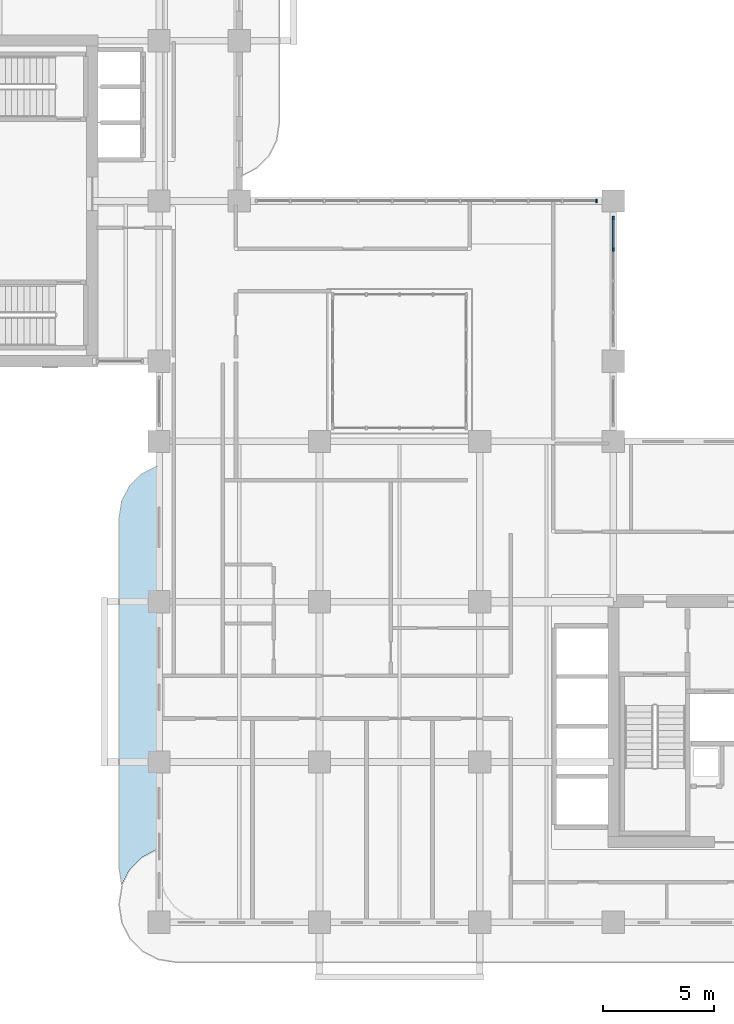
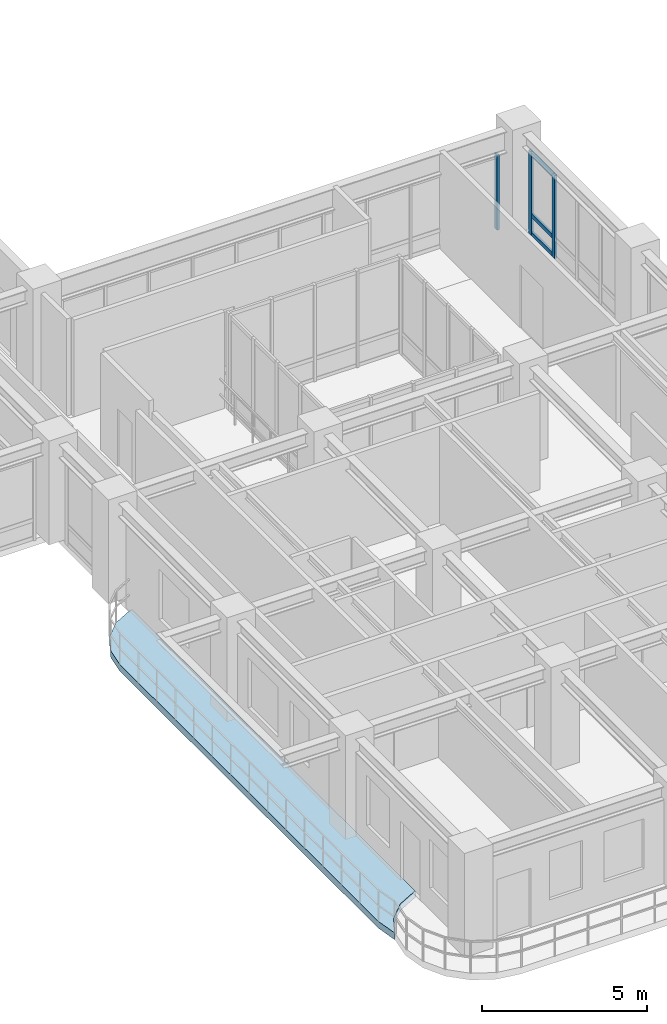
# One storey, part 7 of 21: 6 members, 1 slab, 2 elements without a shape of their own.
"""IFC4 building model written with IfcOpenShell, lengths in metres."""

import ifcopenshell
import ifcopenshell.guid

model = None  # the IFC model being written
_history = None  # IfcOwnerHistory: only IFC2X3 demands one
_inside = {}  # id of a spatial element -> (the spatial element, [elements in it])
_under = {}  # id of a project, library or spatial element -> (it, [spatial elements below it])
_declared = {}  # id of a project -> (the project, [libraries it declares])
_typed = {}  # id of a type object -> (the type object, [elements of that type])
_made_of = {}  # id of a material, layer set ... -> (it, [elements and type objects made of it])


def new_model(schema):
    """Start an empty IFC model of exactly this schema.

    Asked for "IFC4X3", IfcOpenShell would pick the latest addendum, in which some entities
    have other attributes; the version numbers below select the first issue.
    IFC2X3 requires an IfcOwnerHistory on every rooted entity: one is made here for all.
    """
    global model, _history
    if schema == "IFC4X3":
        model = ifcopenshell.file(schema_version=(4, 3, 0, 0))
    else:
        model = ifcopenshell.file(schema=schema)
    _inside.clear()
    _under.clear()
    _declared.clear()
    _typed.clear()
    _made_of.clear()
    _history = None
    if model.schema == "IFC2X3":
        org = make("IfcOrganization", Name="unknown")
        user = make(
            "IfcPersonAndOrganization",
            ThePerson=make("IfcPerson", FamilyName="unknown"),
            TheOrganization=org,
        )
        app = make(
            "IfcApplication",
            ApplicationDeveloper=org,
            Version="unknown",
            ApplicationFullName="unknown",
            ApplicationIdentifier="unknown",
        )
        _history = make(
            "IfcOwnerHistory",
            OwningUser=user,
            OwningApplication=app,
            ChangeAction="ADDED",
            CreationDate=0,
        )
    return model


def make(cls, **values):
    """One entity of the class cls with the attributes given. An attribute that is None is left unset."""
    return model.create_entity(
        cls, **{name: value for name, value in values.items() if value is not None}
    )


def rooted(cls, **values):
    """An entity with a GlobalId (a new one), such as an element, a storey or a relation."""
    return make(cls, GlobalId=ifcopenshell.guid.new(), OwnerHistory=_history, **values)


def si_unit(unit_type, name, prefix=None):
    """IfcSIUnit, for example si_unit("LENGTHUNIT", "METRE", prefix="MILLI")."""
    return make("IfcSIUnit", UnitType=unit_type, Prefix=prefix, Name=name)


def derived_unit(unit_type, elements):
    """IfcDerivedUnit: a product of units, each with its exponent."""
    return make(
        "IfcDerivedUnit",
        Elements=[
            make("IfcDerivedUnitElement", Unit=unit, Exponent=power)
            for unit, power in elements
        ],
        UnitType=unit_type,
    )


def assignment(units):
    """IfcUnitAssignment: the units of a project."""
    return None if units is None else make("IfcUnitAssignment", Units=units)


def point(xyz):
    """IfcCartesianPoint."""
    return None if xyz is None else make("IfcCartesianPoint", Coordinates=xyz)


def direction(xyz):
    """IfcDirection."""
    return None if xyz is None else make("IfcDirection", DirectionRatios=xyz)


def frame(location, z_axis=None, x_axis=None):
    """IfcAxis2Placement3D, a coordinate frame: its origin and axes. An axis left out is left unset."""
    return make(
        "IfcAxis2Placement3D",
        Location=point(location),
        Axis=direction(z_axis),
        RefDirection=direction(x_axis),
    )


def frame_2d(location, x_axis=None):
    """IfcAxis2Placement2D, a coordinate frame in the plane: its origin and x axis."""
    return make(
        "IfcAxis2Placement2D", Location=point(location), RefDirection=direction(x_axis)
    )


def origin():
    """The frame at (0, 0, 0) with its axes left unset."""
    return frame((0.0, 0.0, 0.0))


def origin_2d():
    """The frame at (0, 0) in the plane with its x axis left unset."""
    return frame_2d((0.0, 0.0))


def place(relative_to, where):
    """IfcLocalPlacement: puts the frame where relative to a parent placement (None: the world)."""
    return make(
        "IfcLocalPlacement", PlacementRelTo=relative_to, RelativePlacement=where
    )


def context(
    kind, dimensions, precision=None, world=None, true_north=None, identifier=None
):
    """IfcGeometricRepresentationContext, for example the 3D "Model" context."""
    return make(
        "IfcGeometricRepresentationContext",
        ContextIdentifier=identifier,
        ContextType=kind,
        CoordinateSpaceDimension=dimensions,
        Precision=precision,
        WorldCoordinateSystem=world,
        TrueNorth=true_north,
    )


def subcontext(parent, identifier, kind, view, scale=None):
    """IfcGeometricRepresentationSubContext, for example "Body" below "Model"."""
    return make(
        "IfcGeometricRepresentationSubContext",
        ContextIdentifier=identifier,
        ContextType=kind,
        ParentContext=parent,
        TargetScale=scale,
        TargetView=view,
    )


def project(units=None, contexts=None):
    """IfcProject with its units and contexts."""
    return rooted(
        "IfcProject",
        Name="project",
        RepresentationContexts=contexts,
        UnitsInContext=assignment(units),
    )


def spatial(cls, under=None, at=None, **own):
    """A site, building, storey or space (cls), placed at a placement, below another one or the project."""
    s = rooted(cls, ObjectPlacement=at, **own)
    if under is not None:
        _under.setdefault(under.id(), (under, []))[1].append(s)
    return s


def polyline(points):
    """IfcPolyline through the points."""
    return make("IfcPolyline", Points=[point(p) for p in points])


def profile(cls, at=None, kind="AREA", **sizes):
    """A parametric profile (cls). Its sizes go by their IFC names, for example OverallWidth=200.0."""
    return make(cls, ProfileType=kind, Position=at, **sizes)


def rectangle(**sizes):
    """IfcRectangleProfileDef."""
    return profile("IfcRectangleProfileDef", **sizes)


def outline(outer, holes=None, kind="AREA"):
    """IfcArbitraryClosedProfileDef: a profile drawn as a closed curve; with holes, ...WithVoids."""
    if holes is None:
        return make("IfcArbitraryClosedProfileDef", ProfileType=kind, OuterCurve=outer)
    return make(
        "IfcArbitraryProfileDefWithVoids",
        ProfileType=kind,
        OuterCurve=outer,
        InnerCurves=holes,
    )


def extrude(swept, where, along, depth):
    """IfcExtrudedAreaSolid: the profile swept, set in the frame where, extruded along a direction by depth."""
    return make(
        "IfcExtrudedAreaSolid",
        SweptArea=swept,
        Position=where,
        ExtrudedDirection=direction(along),
        Depth=depth,
    )


def shape(context_of_items, identifier, shape_type, items):
    """IfcShapeRepresentation: the items that make up one representation, for example the "Body"."""
    return make(
        "IfcShapeRepresentation",
        ContextOfItems=context_of_items,
        RepresentationIdentifier=identifier,
        RepresentationType=shape_type,
        Items=items,
    )


def source(mapping_origin, context_of_items, identifier, shape_type, items):
    """IfcRepresentationMap: a shape defined once, which mapped items show again and again."""
    return make(
        "IfcRepresentationMap",
        MappingOrigin=mapping_origin,
        MappedRepresentation=shape(context_of_items, identifier, shape_type, items),
    )


def transform(
    local_origin,
    x_axis=None,
    y_axis=None,
    z_axis=None,
    scale=None,
    scale2=None,
    scale3=None,
    uniform=True,
):
    """IfcCartesianTransformationOperator3D, or its non-uniform kind. x_axis, y_axis, z_axis: its Axis1, 2, 3."""
    if uniform:
        return make(
            "IfcCartesianTransformationOperator3D",
            Axis1=direction(x_axis),
            Axis2=direction(y_axis),
            LocalOrigin=point(local_origin),
            Scale=scale,
            Axis3=direction(z_axis),
        )
    return make(
        "IfcCartesianTransformationOperator3DnonUniform",
        Axis1=direction(x_axis),
        Axis2=direction(y_axis),
        LocalOrigin=point(local_origin),
        Scale=scale,
        Axis3=direction(z_axis),
        Scale2=scale2,
        Scale3=scale3,
    )


def mapped(mapping_source, mapping_target):
    """IfcMappedItem: shows the shape of a source again, moved by a transform."""
    return make(
        "IfcMappedItem", MappingSource=mapping_source, MappingTarget=mapping_target
    )


def material(Name=None, Category=None):
    """IfcMaterial."""
    return make("IfcMaterial", Name=Name, Category=Category)


def layer(
    of_material, thickness, ventilated=None, Name=None, Category=None, Priority=None
):
    """IfcMaterialLayer: one layer of a wall or slab, of a material (None: an air gap)."""
    return make(
        "IfcMaterialLayer",
        Material=of_material,
        LayerThickness=thickness,
        IsVentilated=ventilated,
        Name=Name,
        Category=Category,
        Priority=Priority,
    )


def layer_set(layers, Name=None):
    """IfcMaterialLayerSet."""
    return make("IfcMaterialLayerSet", MaterialLayers=layers, LayerSetName=Name)


def material_profile(
    of_material, cross_section, Name=None, Category=None, Priority=None
):
    """IfcMaterialProfile: a cross section and its material."""
    return make(
        "IfcMaterialProfile",
        Name=Name,
        Material=of_material,
        Profile=cross_section,
        Priority=Priority,
        Category=Category,
    )


def profile_set(profiles, Name=None, composite=None):
    """IfcMaterialProfileSet."""
    return make(
        "IfcMaterialProfileSet",
        Name=Name,
        MaterialProfiles=profiles,
        CompositeProfile=composite,
    )


def made_of(thing, what):
    """Note that an element or type object is made of a material, layer set ...; save() writes the relation."""
    if what is not None:
        _made_of.setdefault(what.id(), (what, []))[1].append(thing)
    return thing


def type_object(cls, material=None, **own):
    """A type object (cls), such as IfcWallType, which elements share."""
    return made_of(rooted(cls, **own), material)


def element(
    cls,
    number,
    at=None,
    inside=None,
    cuts=None,
    type_object=None,
    material=None,
    context=None,
    identifier="Body",
    shape_type=None,
    held_by="IfcProductDefinitionShape",
    body=None,
    shapes=None,
    **own,
):
    """One element of the class cls, such as IfcWall. Its Tag is "e" and its number.

    at: its placement. inside: the storey or other place that contains it. cuts: it is an
    opening in that element (IfcRelVoidsElement). A single representation is given by context,
    identifier, shape_type and body (its items); several are given by shapes. held_by: the class
    of the entity that holds the representations. save() writes the other relations.
    """
    e = rooted(cls, Tag="e%d" % number, ObjectPlacement=at, **own)
    if body is not None:
        shapes = [shape(context, identifier, shape_type, body)]
    if shapes is not None:
        e.Representation = make(held_by, Representations=shapes)
    if inside is not None:
        _inside.setdefault(inside.id(), (inside, []))[1].append(e)
    if cuts is not None:
        rooted(
            "IfcRelVoidsElement", RelatingBuildingElement=cuts, RelatedOpeningElement=e
        )
    if type_object is not None:
        _typed.setdefault(type_object.id(), (type_object, []))[1].append(e)
    return made_of(e, material)


def aggregate(whole, parts):
    """IfcRelAggregates: a whole, such as a stair, and the parts it consists of."""
    return rooted("IfcRelAggregates", RelatingObject=whole, RelatedObjects=parts)


def save(model, path):
    """Write the relations noted so far, then the file.

    IfcRelAggregates (storeys below a building ...), IfcRelContainedInSpatialStructure (elements
    in a storey), IfcRelDefinesByType, IfcRelAssociatesMaterial and IfcRelDeclares: one each for
    every whole, place, type object, material and project.
    """
    for whole, parts in _under.values():
        aggregate(whole, parts)
    for where, things in _inside.values():
        rooted(
            "IfcRelContainedInSpatialStructure",
            RelatedElements=things,
            RelatingStructure=where,
        )
    for kind, things in _typed.values():
        rooted("IfcRelDefinesByType", RelatedObjects=things, RelatingType=kind)
    for what, things in _made_of.values():
        rooted("IfcRelAssociatesMaterial", RelatedObjects=things, RelatingMaterial=what)
    for by, libraries in _declared.values():
        rooted("IfcRelDeclares", RelatingContext=by, RelatedDefinitions=libraries)
    model.write(path)


model = new_model("IFC4")

# Units and contexts
model_context = context("Model", 3, precision=1e-05, world=origin(), true_north=direction((0.0, 1.0)))
body_context = subcontext(model_context, "Body", "Model", "MODEL_VIEW")
ifc_project = project(units=[si_unit("LENGTHUNIT", "METRE"), si_unit("AREAUNIT", "SQUARE_METRE"), si_unit("VOLUMEUNIT", "CUBIC_METRE"), si_unit("PLANEANGLEUNIT", "RADIAN"), si_unit("MASSUNIT", "GRAM", prefix="KILO"), si_unit("THERMODYNAMICTEMPERATUREUNIT", "KELVIN"), si_unit("POWERUNIT", "WATT"), derived_unit("THERMALTRANSMITTANCEUNIT", [(si_unit("POWERUNIT", "WATT"), 1), (si_unit("AREAUNIT", "SQUARE_METRE"), -1), (si_unit("THERMODYNAMICTEMPERATUREUNIT", "KELVIN"), -1)])], contexts=[model_context])

# Site, building, storey
site_placement = place(None, origin())
site = spatial("IfcSite", under=ifc_project, at=site_placement, CompositionType="ELEMENT")
building_placement = place(site_placement, origin())
building = spatial("IfcBuilding", under=site, at=building_placement, Name="Zahravan Archway Hotel and Residences", CompositionType="ELEMENT")
storey_placement = place(building_placement, frame((0.0, 0.0, 165.699951171875)))
storey = spatial("IfcBuildingStorey", under=building, at=storey_placement, Name="L41", CompositionType="ELEMENT", Elevation=165.699951171875)

# Curtain wall, members
ifc_material_1 = material(Name="Bronze-Anodized Unitised Aluminium & Low-E Glass", Category="aluminium")
ifc_layer_1 = layer(ifc_material_1, 0.179931640625, Name="Bronze-Anodized Unitised Aluminium & Low-E Glass", Category="aluminium")
ifc_layer_set_1 = layer_set([ifc_layer_1], Name="Bronze-Anodized Unitised Aluminium & Low-E Glass")
curtain_wall_type = type_object("IfcCurtainWallType", Name="CW-ATR-GLAZ", PredefinedType="NOTDEFINED", material=ifc_layer_set_1)
curtain_wall_1_placement = place(storey_placement, origin())
curtain_wall_1 = element("IfcCurtainWall", 1, at=curtain_wall_1_placement, inside=storey, type_object=curtain_wall_type, Name="L41 Curtain Wall CW-L41-HNG-E-2", PredefinedType="NOTDEFINED")
ifc_material_2 = material(Name="Bronze-Anodized Extruded Aluminium", Category="aluminium")
ifc_material_profile_1 = material_profile(ifc_material_2, rectangle(XDim=0.080078125, YDim=0.139892578125, at=origin_2d()), Name="TRN 80x140", Category="aluminium")
ifc_profile_set_1 = profile_set([ifc_material_profile_1], Name="Bronze-Anodized Extruded Aluminium")
member_type_1 = type_object("IfcMemberType", Name="CWM-TRN-140", PredefinedType="USERDEFINED", material=ifc_profile_set_1)
shared_shape_1 = source(origin(), body_context, "Body", "SweptSolid", [
    extrude(rectangle(XDim=0.080078125, YDim=0.139892578125, at=origin_2d()), origin(), (0.0, 0.0, 1.0), 1.340087890625),
])
member_1_placement = place(storey_placement, frame((34.800048828125, 30.260009765625, 0.070068359375), z_axis=(0.0, 1.0, 0.0), x_axis=(-1.0, 0.0, 0.0)))
member_1 = element("IfcMember", 2, at=member_1_placement, type_object=member_type_1, Name="CW-L41-HNG-E-2 Transom 3-1", ObjectType="TRANSOM", PredefinedType="USERDEFINED", context=body_context, shape_type="MappedRepresentation", body=[
    mapped(shared_shape_1, transform((0.0, 0.0, 0.0), scale=1.0)),
])
member_2_placement = place(storey_placement, frame((34.800048828125, 30.260009765625, 0.740478515625), z_axis=(0.0, 1.0, 0.0), x_axis=(-1.0, 0.0, 0.0)))
member_2 = element("IfcMember", 3, at=member_2_placement, type_object=member_type_1, Name="CW-L41-HNG-E-2 Transom 3-2", ObjectType="TRANSOM", PredefinedType="USERDEFINED", context=body_context, shape_type="MappedRepresentation", body=[
    mapped(shared_shape_1, transform((0.0, 0.0, 0.0), scale=1.0)),
])
member_3_placement = place(storey_placement, frame((34.800048828125, 30.260009765625, 3.01513671875), z_axis=(0.0, 1.0, 0.0), x_axis=(-1.0, 0.0, 0.0)))
member_3 = element("IfcMember", 4, at=member_3_placement, type_object=member_type_1, Name="CW-L41-HNG-E-2 Transom 3-3", ObjectType="TRANSOM", PredefinedType="USERDEFINED", context=body_context, shape_type="MappedRepresentation", body=[
    mapped(shared_shape_1, transform((0.0, 0.0, 0.0), scale=1.0)),
])
ifc_material_profile_2 = material_profile(ifc_material_2, rectangle(XDim=0.080078125, YDim=0.159912109375, at=origin_2d()), Name="MUL 80x160", Category="aluminium")
ifc_profile_set_2 = profile_set([ifc_material_profile_2], Name="Bronze-Anodized Extruded Aluminium")
member_type_2 = type_object("IfcMemberType", Name="CWM-MUL-160", PredefinedType="MULLION", material=ifc_profile_set_2)
shared_shape_2 = source(origin(), body_context, "Body", "SweptSolid", [
    extrude(rectangle(XDim=0.080078125, YDim=0.159912109375, at=origin_2d()), origin(), (0.0, 0.0, 1.0), 3.0849609375),
])
member_4_placement = place(storey_placement, frame((34.800048828125, 30.219970703125, 0.0), z_axis=(0.0, 0.0, 1.0), x_axis=(1.0, 0.0, 0.0)))
member_4 = element("IfcMember", 5, at=member_4_placement, type_object=member_type_2, Name="CW-L41-HNG-E-2 Mullion 3", PredefinedType="MULLION", context=body_context, shape_type="MappedRepresentation", body=[
    mapped(shared_shape_2, transform((0.0, 0.0, 0.0), scale=1.0)),
])
member_5_placement = place(storey_placement, frame((34.800048828125, 31.639892578125, 0.0), z_axis=(0.0, 0.0, 1.0), x_axis=(1.0, 0.0, 0.0)))
member_5 = element("IfcMember", 6, at=member_5_placement, type_object=member_type_2, Name="CW-L41-HNG-E-2 Mullion 4", PredefinedType="MULLION", context=body_context, shape_type="MappedRepresentation", body=[
    mapped(shared_shape_2, transform((0.0, 0.0, 0.0), scale=1.0)),
])
aggregate(curtain_wall_1, [member_4, member_5, member_1, member_2, member_3])

# Curtain wall, member
curtain_wall_2_placement = place(storey_placement, origin())
curtain_wall_2 = element("IfcCurtainWall", 7, at=curtain_wall_2_placement, inside=storey, type_object=curtain_wall_type, Name="L41 Curtain Wall CW-L41-HNG-N-1", PredefinedType="NOTDEFINED")
shared_shape_3 = source(origin(), body_context, "Body", "SweptSolid", [
    extrude(rectangle(XDim=0.080078125, YDim=0.159912109375, at=origin_2d()), origin(), (0.0, 0.0, 1.0), 2.78515625),
])
member_6_placement = place(storey_placement, frame((34.0400390625, 32.39990234375, 0.0), z_axis=(0.0, 0.0, 1.0), x_axis=(1.0, 0.0, 0.0)))
member_6 = element("IfcMember", 8, at=member_6_placement, type_object=member_type_2, Name="CW-L41-HNG-N-1 Mullion 10", PredefinedType="MULLION", context=body_context, shape_type="MappedRepresentation", body=[
    mapped(shared_shape_3, transform((0.0, 0.0, 0.0), scale=1.0)),
])
aggregate(curtain_wall_2, [member_6])

# Slab
ifc_material_3 = material(Name="Concrete C45/55", Category="concrete")
ifc_layer_2 = layer(ifc_material_3, 0.25, Name="Concrete C45/55", Category="concrete")
ifc_layer_set_2 = layer_set([ifc_layer_2], Name="Concrete C45/55")
slab_type = type_object("IfcSlabType", Name="SLB-BALC-250", PredefinedType="FLOOR", material=ifc_layer_set_2)
slab_placement = place(storey_placement, frame((0.0, 0.0, -0.25)))
element("IfcSlab", 9, at=slab_placement, inside=storey, type_object=slab_type, Name="L41 Wing A West Rounded Balcony Band", PredefinedType="FLOOR", context=body_context, shape_type="SweptSolid", body=[
    extrude(outline(polyline([(12.719970703125, 1.69287109375), (12.60009765625, 2.449951171875), (12.60009765625, 18.14990234375), (12.719970703125, 18.906982421875), (13.06787109375, 19.590087890625), (13.60986328125, 20.132080078125), (14.29296875, 20.47998046875), (14.3798828125, 20.493896484375), (14.3798828125, 3.298095703125), (14.37890625, 3.298095703125), (14.376953125, 3.2978515625), (14.35888671875, 3.294921875), (14.356689453125, 3.29443359375), (14.354736328125, 3.2939453125), (14.352783203125, 3.29296875), (13.64208984375, 2.930908203125), (13.64013671875, 2.9296875), (13.638427734375, 2.928466796875), (13.636962890625, 2.927001953125), (13.072998046875, 2.363037109375), (13.071533203125, 2.361572265625), (13.0703125, 2.35986328125), (13.069091796875, 2.35791015625), (12.72509765625, 1.6826171875), (12.719970703125, 1.69287109375)])), origin(), (0.0, 0.0, 1.0), 0.25),
])

save(model, "model.ifc")
